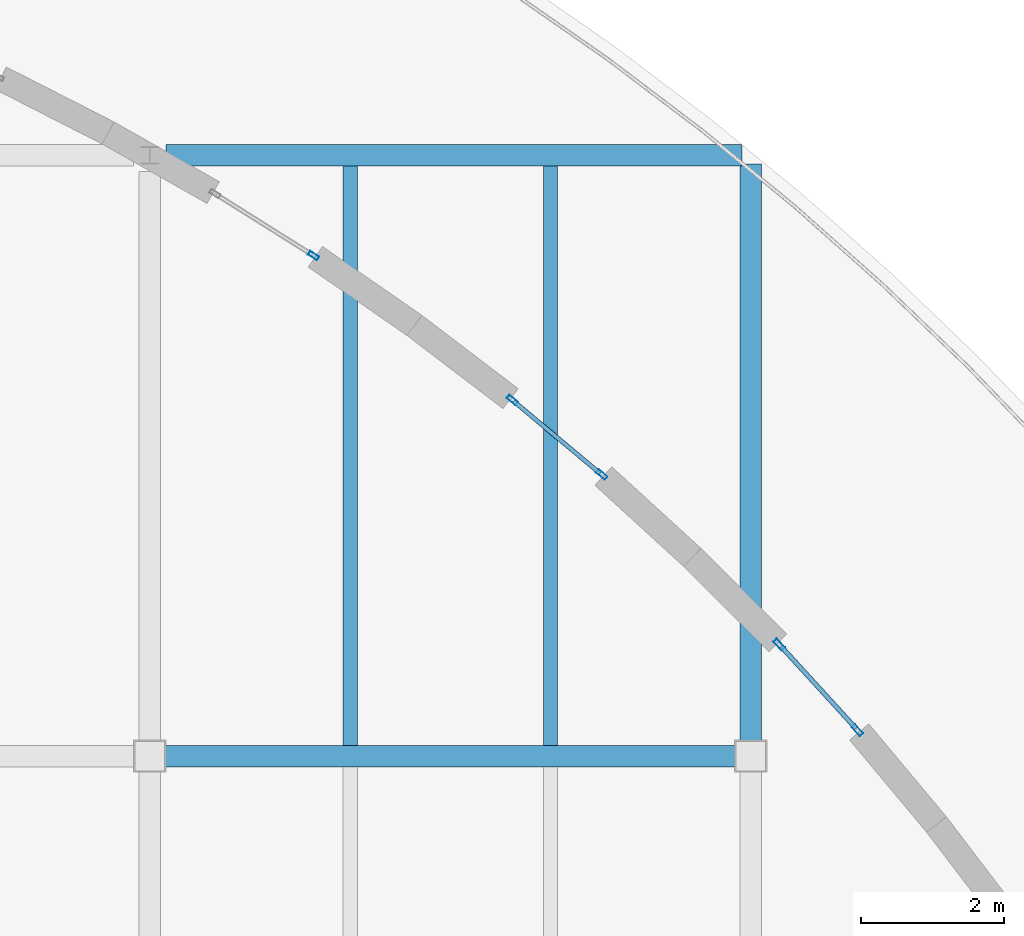
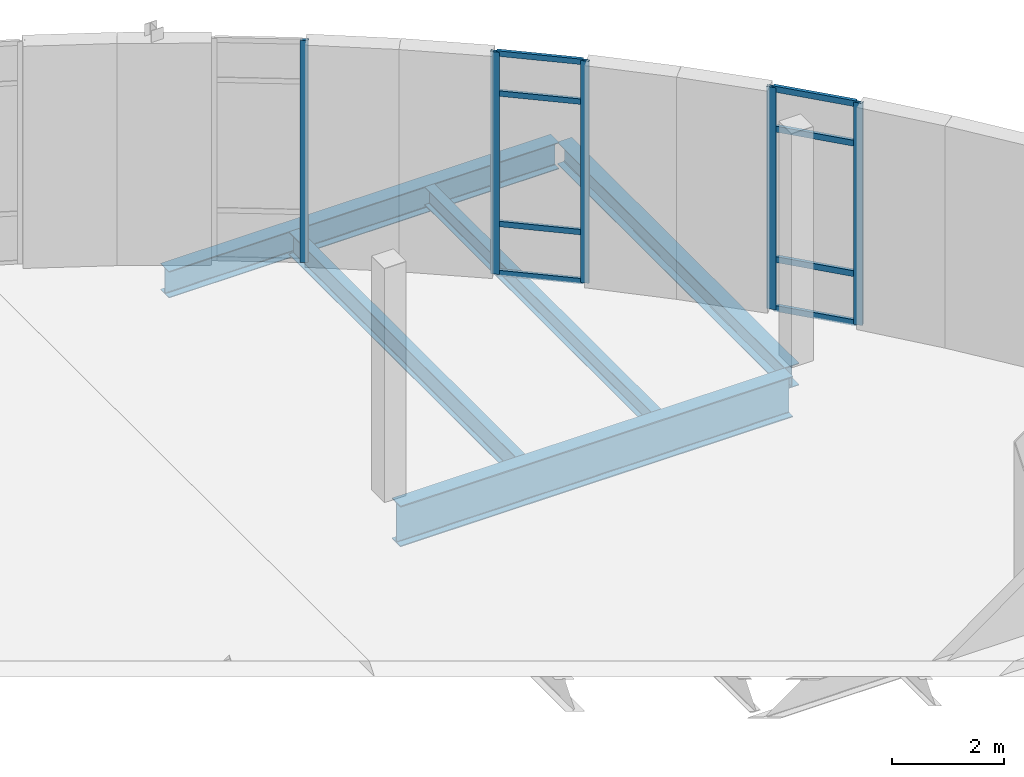
# One storey, part 29 of 57: 13 members, 5 beams, 3 elements without a shape of their own.
"""IFC4 building model written with IfcOpenShell, lengths in metres."""

import ifcopenshell
import ifcopenshell.guid

model = None  # the IFC model being written
_history = None  # IfcOwnerHistory: only IFC2X3 demands one
_inside = {}  # id of a spatial element -> (the spatial element, [elements in it])
_under = {}  # id of a project, library or spatial element -> (it, [spatial elements below it])
_declared = {}  # id of a project -> (the project, [libraries it declares])
_typed = {}  # id of a type object -> (the type object, [elements of that type])
_made_of = {}  # id of a material, layer set ... -> (it, [elements and type objects made of it])


def new_model(schema):
    """Start an empty IFC model of exactly this schema.

    Asked for "IFC4X3", IfcOpenShell would pick the latest addendum, in which some entities
    have other attributes; the version numbers below select the first issue.
    IFC2X3 requires an IfcOwnerHistory on every rooted entity: one is made here for all.
    """
    global model, _history
    if schema == "IFC4X3":
        model = ifcopenshell.file(schema_version=(4, 3, 0, 0))
    else:
        model = ifcopenshell.file(schema=schema)
    _inside.clear()
    _under.clear()
    _declared.clear()
    _typed.clear()
    _made_of.clear()
    _history = None
    if model.schema == "IFC2X3":
        org = make("IfcOrganization", Name="unknown")
        user = make(
            "IfcPersonAndOrganization",
            ThePerson=make("IfcPerson", FamilyName="unknown"),
            TheOrganization=org,
        )
        app = make(
            "IfcApplication",
            ApplicationDeveloper=org,
            Version="unknown",
            ApplicationFullName="unknown",
            ApplicationIdentifier="unknown",
        )
        _history = make(
            "IfcOwnerHistory",
            OwningUser=user,
            OwningApplication=app,
            ChangeAction="ADDED",
            CreationDate=0,
        )
    return model


def make(cls, **values):
    """One entity of the class cls with the attributes given. An attribute that is None is left unset."""
    return model.create_entity(
        cls, **{name: value for name, value in values.items() if value is not None}
    )


def rooted(cls, **values):
    """An entity with a GlobalId (a new one), such as an element, a storey or a relation."""
    return make(cls, GlobalId=ifcopenshell.guid.new(), OwnerHistory=_history, **values)


def si_unit(unit_type, name, prefix=None):
    """IfcSIUnit, for example si_unit("LENGTHUNIT", "METRE", prefix="MILLI")."""
    return make("IfcSIUnit", UnitType=unit_type, Prefix=prefix, Name=name)


def assignment(units):
    """IfcUnitAssignment: the units of a project."""
    return None if units is None else make("IfcUnitAssignment", Units=units)


def point(xyz):
    """IfcCartesianPoint."""
    return None if xyz is None else make("IfcCartesianPoint", Coordinates=xyz)


def direction(xyz):
    """IfcDirection."""
    return None if xyz is None else make("IfcDirection", DirectionRatios=xyz)


def frame(location, z_axis=None, x_axis=None):
    """IfcAxis2Placement3D, a coordinate frame: its origin and axes. An axis left out is left unset."""
    return make(
        "IfcAxis2Placement3D",
        Location=point(location),
        Axis=direction(z_axis),
        RefDirection=direction(x_axis),
    )


def frame_2d(location, x_axis=None):
    """IfcAxis2Placement2D, a coordinate frame in the plane: its origin and x axis."""
    return make(
        "IfcAxis2Placement2D", Location=point(location), RefDirection=direction(x_axis)
    )


def origin():
    """The frame at (0, 0, 0) with its axes left unset."""
    return frame((0.0, 0.0, 0.0))


def origin_2d():
    """The frame at (0, 0) in the plane with its x axis left unset."""
    return frame_2d((0.0, 0.0))


def place(relative_to, where):
    """IfcLocalPlacement: puts the frame where relative to a parent placement (None: the world)."""
    return make(
        "IfcLocalPlacement", PlacementRelTo=relative_to, RelativePlacement=where
    )


def context(
    kind, dimensions, precision=None, world=None, true_north=None, identifier=None
):
    """IfcGeometricRepresentationContext, for example the 3D "Model" context."""
    return make(
        "IfcGeometricRepresentationContext",
        ContextIdentifier=identifier,
        ContextType=kind,
        CoordinateSpaceDimension=dimensions,
        Precision=precision,
        WorldCoordinateSystem=world,
        TrueNorth=true_north,
    )


def subcontext(parent, identifier, kind, view, scale=None):
    """IfcGeometricRepresentationSubContext, for example "Body" below "Model"."""
    return make(
        "IfcGeometricRepresentationSubContext",
        ContextIdentifier=identifier,
        ContextType=kind,
        ParentContext=parent,
        TargetScale=scale,
        TargetView=view,
    )


def project(units=None, contexts=None):
    """IfcProject with its units and contexts."""
    return rooted(
        "IfcProject",
        Name="project",
        RepresentationContexts=contexts,
        UnitsInContext=assignment(units),
    )


def spatial(cls, under=None, at=None, **own):
    """A site, building, storey or space (cls), placed at a placement, below another one or the project."""
    s = rooted(cls, ObjectPlacement=at, **own)
    if under is not None:
        _under.setdefault(under.id(), (under, []))[1].append(s)
    return s


def profile(cls, at=None, kind="AREA", **sizes):
    """A parametric profile (cls). Its sizes go by their IFC names, for example OverallWidth=200.0."""
    return make(cls, ProfileType=kind, Position=at, **sizes)


def hollow_rectangle(**sizes):
    """IfcRectangleHollowProfileDef."""
    return profile("IfcRectangleHollowProfileDef", **sizes)


def i_section(**sizes):
    """IfcIShapeProfileDef."""
    return profile("IfcIShapeProfileDef", **sizes)


def extrude(swept, where, along, depth):
    """IfcExtrudedAreaSolid: the profile swept, set in the frame where, extruded along a direction by depth."""
    return make(
        "IfcExtrudedAreaSolid",
        SweptArea=swept,
        Position=where,
        ExtrudedDirection=direction(along),
        Depth=depth,
    )


def shape(context_of_items, identifier, shape_type, items):
    """IfcShapeRepresentation: the items that make up one representation, for example the "Body"."""
    return make(
        "IfcShapeRepresentation",
        ContextOfItems=context_of_items,
        RepresentationIdentifier=identifier,
        RepresentationType=shape_type,
        Items=items,
    )


def material(Name=None, Category=None):
    """IfcMaterial."""
    return make("IfcMaterial", Name=Name, Category=Category)


def layer(
    of_material, thickness, ventilated=None, Name=None, Category=None, Priority=None
):
    """IfcMaterialLayer: one layer of a wall or slab, of a material (None: an air gap)."""
    return make(
        "IfcMaterialLayer",
        Material=of_material,
        LayerThickness=thickness,
        IsVentilated=ventilated,
        Name=Name,
        Category=Category,
        Priority=Priority,
    )


def layer_set(layers, Name=None):
    """IfcMaterialLayerSet."""
    return make("IfcMaterialLayerSet", MaterialLayers=layers, LayerSetName=Name)


def material_profile(
    of_material, cross_section, Name=None, Category=None, Priority=None
):
    """IfcMaterialProfile: a cross section and its material."""
    return make(
        "IfcMaterialProfile",
        Name=Name,
        Material=of_material,
        Profile=cross_section,
        Priority=Priority,
        Category=Category,
    )


def profile_set(profiles, Name=None, composite=None):
    """IfcMaterialProfileSet."""
    return make(
        "IfcMaterialProfileSet",
        Name=Name,
        MaterialProfiles=profiles,
        CompositeProfile=composite,
    )


def made_of(thing, what):
    """Note that an element or type object is made of a material, layer set ...; save() writes the relation."""
    if what is not None:
        _made_of.setdefault(what.id(), (what, []))[1].append(thing)
    return thing


def type_object(cls, material=None, **own):
    """A type object (cls), such as IfcWallType, which elements share."""
    return made_of(rooted(cls, **own), material)


def element(
    cls,
    number,
    at=None,
    inside=None,
    cuts=None,
    type_object=None,
    material=None,
    context=None,
    identifier="Body",
    shape_type=None,
    held_by="IfcProductDefinitionShape",
    body=None,
    shapes=None,
    **own,
):
    """One element of the class cls, such as IfcWall. Its Tag is "e" and its number.

    at: its placement. inside: the storey or other place that contains it. cuts: it is an
    opening in that element (IfcRelVoidsElement). A single representation is given by context,
    identifier, shape_type and body (its items); several are given by shapes. held_by: the class
    of the entity that holds the representations. save() writes the other relations.
    """
    e = rooted(cls, Tag="e%d" % number, ObjectPlacement=at, **own)
    if body is not None:
        shapes = [shape(context, identifier, shape_type, body)]
    if shapes is not None:
        e.Representation = make(held_by, Representations=shapes)
    if inside is not None:
        _inside.setdefault(inside.id(), (inside, []))[1].append(e)
    if cuts is not None:
        rooted(
            "IfcRelVoidsElement", RelatingBuildingElement=cuts, RelatedOpeningElement=e
        )
    if type_object is not None:
        _typed.setdefault(type_object.id(), (type_object, []))[1].append(e)
    return made_of(e, material)


def aggregate(whole, parts):
    """IfcRelAggregates: a whole, such as a stair, and the parts it consists of."""
    return rooted("IfcRelAggregates", RelatingObject=whole, RelatedObjects=parts)


def save(model, path):
    """Write the relations noted so far, then the file.

    IfcRelAggregates (storeys below a building ...), IfcRelContainedInSpatialStructure (elements
    in a storey), IfcRelDefinesByType, IfcRelAssociatesMaterial and IfcRelDeclares: one each for
    every whole, place, type object, material and project.
    """
    for whole, parts in _under.values():
        aggregate(whole, parts)
    for where, things in _inside.values():
        rooted(
            "IfcRelContainedInSpatialStructure",
            RelatedElements=things,
            RelatingStructure=where,
        )
    for kind, things in _typed.values():
        rooted("IfcRelDefinesByType", RelatedObjects=things, RelatingType=kind)
    for what, things in _made_of.values():
        rooted("IfcRelAssociatesMaterial", RelatedObjects=things, RelatingMaterial=what)
    for by, libraries in _declared.values():
        rooted("IfcRelDeclares", RelatingContext=by, RelatedDefinitions=libraries)
    model.write(path)


model = new_model("IFC4")

# Units and contexts
model_context = context("Model", 3, precision=1e-05, world=origin(), true_north=direction((0.0, 1.0)))
body_context = subcontext(model_context, "Body", "Model", "MODEL_VIEW")
ifc_project = project(units=[si_unit("LENGTHUNIT", "METRE"), si_unit("AREAUNIT", "SQUARE_METRE"), si_unit("VOLUMEUNIT", "CUBIC_METRE"), si_unit("PLANEANGLEUNIT", "RADIAN"), si_unit("MASSUNIT", "GRAM", prefix="KILO"), si_unit("THERMODYNAMICTEMPERATUREUNIT", "KELVIN")], contexts=[model_context])

# Site, building, storey
site_placement = place(None, origin())
site = spatial("IfcSite", under=ifc_project, at=site_placement, CompositionType="ELEMENT")
building_placement = place(site_placement, origin())
building = spatial("IfcBuilding", under=site, at=building_placement, Name="Lustrewick Department Store", CompositionType="ELEMENT")
storey_placement = place(building_placement, frame((0.0, 0.0, 26.699951171875)))
storey = spatial("IfcBuildingStorey", under=building, at=storey_placement, Name="L06", CompositionType="ELEMENT", Elevation=26.699951171875)

# Beams
ifc_material_1 = material(Name="Structural steel Q355B", Category="steel")
ifc_material_profile_1 = material_profile(ifc_material_1, i_section(OverallWidth=0.199951171875, OverallDepth=0.5, WebThickness=0.010009765625, FlangeThickness=0.01611328125, FilletRadius=0.01611328125, at=origin_2d()), Name="HN 500x200x10x16")
ifc_profile_set_1 = profile_set([ifc_material_profile_1], Name="Structural steel Q355B")
beam_type_1 = type_object("IfcBeamType", Name="B01", PredefinedType="JOIST", material=ifc_profile_set_1)
beam_1_placement = place(storey_placement, frame((137.199951171875, 84.1494140625, -0.5048828125), z_axis=(0.0, 1.0, 0.0), x_axis=(-1.0, 0.0, 0.0)))
element("IfcBeam", 1, at=beam_1_placement, inside=storey, type_object=beam_type_1, Name="L06 V4 Secondary Joist B01", PredefinedType="JOIST", context=body_context, shape_type="SweptSolid", body=[
    extrude(i_section(OverallWidth=0.199951171875, OverallDepth=0.5, WebThickness=0.010009765625, FlangeThickness=0.01611328125, FilletRadius=0.01611328125, at=origin_2d()), origin(), (0.0, 0.0, 1.0), 8.1005859375),
])
ifc_material_profile_2 = material_profile(ifc_material_1, i_section(OverallWidth=0.199951171875, OverallDepth=0.39990234375, WebThickness=0.008056640625, FlangeThickness=0.012939453125, FilletRadius=0.013916015625, at=origin_2d()), Name="HN 400x200x8x13")
ifc_profile_set_2 = profile_set([ifc_material_profile_2], Name="Structural steel Q355B")
beam_type_2 = type_object("IfcBeamType", Name="B05", PredefinedType="JOIST", material=ifc_profile_set_2)
beam_2_placement = place(storey_placement, frame((140.0, 84.1494140625, -0.454833984375), z_axis=(0.0, 1.0, 0.0), x_axis=(-1.0, 0.0, 0.0)))
element("IfcBeam", 2, at=beam_2_placement, inside=storey, type_object=beam_type_2, Name="L06 V4 Secondary Joist B05", PredefinedType="JOIST", context=body_context, shape_type="SweptSolid", body=[
    extrude(i_section(OverallWidth=0.199951171875, OverallDepth=0.39990234375, WebThickness=0.008056640625, FlangeThickness=0.012939453125, FilletRadius=0.013916015625, at=origin_2d()), origin(), (0.0, 0.0, 1.0), 8.1005859375),
])

# Curtain wall, members
ifc_material_2 = material(Name="Thermally broken aluminium 6063-T5", Category="aluminium")
ifc_layer_1 = layer(ifc_material_2, 0.169921875, Name="Thermally broken aluminium 6063-T5")
ifc_layer_set_1 = layer_set([ifc_layer_1], Name="Thermally broken aluminium 6063-T5")
curtain_wall_type_1 = type_object("IfcCurtainWallType", Name="CW03", PredefinedType="NOTDEFINED", material=ifc_layer_set_1)
curtain_wall_1_placement = place(storey_placement, origin())
curtain_wall_1 = element("IfcCurtainWall", 3, at=curtain_wall_1_placement, inside=storey, type_object=curtain_wall_type_1, Name="L06 V4 Curtain Wall CW03", PredefinedType="NOTDEFINED")
ifc_material_profile_3 = material_profile(ifc_material_2, hollow_rectangle(XDim=0.06494140625, YDim=0.169921875, WallThickness=0.00390625, at=origin_2d()), Name="ALU-M 65x170x4")
ifc_profile_set_3 = profile_set([ifc_material_profile_3], Name="Thermally broken aluminium 6063-T5")
member_type_1 = type_object("IfcMemberType", Name="CW03-M1", PredefinedType="MULLION", material=ifc_profile_set_3)
member_1_placement = place(storey_placement, frame((144.29345703125, 84.362548828125, 0.0), z_axis=(0.0, 0.0, 1.0), x_axis=(-0.738129992145, -0.6746585171, 0.0)))
member_1 = element("IfcMember", 4, at=member_1_placement, type_object=member_type_1, Name="CW03 mullion 1", PredefinedType="MULLION", context=body_context, shape_type="SweptSolid", body=[
    extrude(hollow_rectangle(XDim=0.06494140625, YDim=0.169921875, WallThickness=0.00390625, at=origin_2d()), origin(), (0.0, 0.0, 1.0), 4.844970703125),
])
member_2_placement = place(storey_placement, frame((143.198974609375, 85.56005859375, 0.0), z_axis=(0.0, 0.0, 1.0), x_axis=(-0.738129992145, -0.6746585171, 0.0)))
member_2 = element("IfcMember", 5, at=member_2_placement, type_object=member_type_1, Name="CW03 mullion 2", PredefinedType="MULLION", context=body_context, shape_type="SweptSolid", body=[
    extrude(hollow_rectangle(XDim=0.06494140625, YDim=0.169921875, WallThickness=0.00390625, at=origin_2d()), origin(), (0.0, 0.0, 1.0), 4.844970703125),
])
ifc_material_profile_4 = material_profile(ifc_material_2, hollow_rectangle(XDim=0.06494140625, YDim=0.1298828125, WallThickness=0.00341796875, at=origin_2d()), Name="ALU-T 65x130x3.5")
ifc_profile_set_4 = profile_set([ifc_material_profile_4], Name="Thermally broken aluminium 6063-T5")
member_type_2 = type_object("IfcMemberType", Name="CW03-T1", PredefinedType="USERDEFINED", material=ifc_profile_set_4)
member_3_placement = place(storey_placement, frame((144.271728515625, 84.386474609375, 0.032470703125), z_axis=(-0.674652098994, 0.73813585831, 0.0), x_axis=(-0.73813585831, -0.674652098994, 0.0)))
member_3 = element("IfcMember", 6, at=member_3_placement, type_object=member_type_2, Name="CW03 transom 1.1", ObjectType="TRANSOM", PredefinedType="USERDEFINED", context=body_context, shape_type="SweptSolid", body=[
    extrude(hollow_rectangle(XDim=0.06494140625, YDim=0.1298828125, WallThickness=0.00341796875, at=origin_2d()), origin(), (0.0, 0.0, 1.0), 1.5576171875),
])
member_4_placement = place(storey_placement, frame((144.271728515625, 84.386474609375, 1.10009765625), z_axis=(-0.674652098994, 0.73813585831, 0.0), x_axis=(-0.73813585831, -0.674652098994, 0.0)))
member_4 = element("IfcMember", 7, at=member_4_placement, type_object=member_type_2, Name="CW03 transom 1.2", ObjectType="TRANSOM", PredefinedType="USERDEFINED", context=body_context, shape_type="SweptSolid", body=[
    extrude(hollow_rectangle(XDim=0.06494140625, YDim=0.1298828125, WallThickness=0.00341796875, at=origin_2d()), origin(), (0.0, 0.0, 1.0), 1.5576171875),
])
member_5_placement = place(storey_placement, frame((144.271728515625, 84.386474609375, 3.945068359375), z_axis=(-0.674652098994, 0.73813585831, 0.0), x_axis=(-0.73813585831, -0.674652098994, 0.0)))
member_5 = element("IfcMember", 8, at=member_5_placement, type_object=member_type_2, Name="CW03 transom 1.3", ObjectType="TRANSOM", PredefinedType="USERDEFINED", context=body_context, shape_type="SweptSolid", body=[
    extrude(hollow_rectangle(XDim=0.06494140625, YDim=0.1298828125, WallThickness=0.00341796875, at=origin_2d()), origin(), (0.0, 0.0, 1.0), 1.5576171875),
])
member_6_placement = place(storey_placement, frame((144.271728515625, 84.386474609375, 4.8125), z_axis=(-0.674652098994, 0.73813585831, 0.0), x_axis=(-0.73813585831, -0.674652098994, 0.0)))
member_6 = element("IfcMember", 9, at=member_6_placement, type_object=member_type_2, Name="CW03 transom 1.4", ObjectType="TRANSOM", PredefinedType="USERDEFINED", context=body_context, shape_type="SweptSolid", body=[
    extrude(hollow_rectangle(XDim=0.06494140625, YDim=0.1298828125, WallThickness=0.00341796875, at=origin_2d()), origin(), (0.0, 0.0, 1.0), 1.5576171875),
])
aggregate(curtain_wall_1, [member_1, member_2, member_3, member_4, member_5, member_6])

ifc_layer_2 = layer(ifc_material_2, 0.159912109375, Name="Thermally broken aluminium 6063-T5")
ifc_layer_set_2 = layer_set([ifc_layer_2], Name="Thermally broken aluminium 6063-T5")
curtain_wall_type_2 = type_object("IfcCurtainWallType", Name="CW04", PredefinedType="NOTDEFINED", material=ifc_layer_set_2)
curtain_wall_2_placement = place(storey_placement, origin())
curtain_wall_2 = element("IfcCurtainWall", 10, at=curtain_wall_2_placement, inside=storey, type_object=curtain_wall_type_2, Name="L06 V4 Curtain Wall CW04", PredefinedType="NOTDEFINED")
ifc_material_profile_5 = material_profile(ifc_material_2, hollow_rectangle(XDim=0.06005859375, YDim=0.159912109375, WallThickness=0.00390625, at=origin_2d()), Name="ALU-M 60x160x4")
ifc_profile_set_5 = profile_set([ifc_material_profile_5], Name="Thermally broken aluminium 6063-T5")
member_type_3 = type_object("IfcMemberType", Name="CW04-M1", PredefinedType="MULLION", material=ifc_profile_set_5)
member_7_placement = place(storey_placement, frame((140.715576171875, 87.934814453125, 0.0), z_axis=(0.0, 0.0, 1.0), x_axis=(-0.640877815608, -0.767642902306, 0.0)))
member_7 = element("IfcMember", 11, at=member_7_placement, type_object=member_type_3, Name="CW04 mullion 1", PredefinedType="MULLION", context=body_context, shape_type="SweptSolid", body=[
    extrude(hollow_rectangle(XDim=0.06005859375, YDim=0.159912109375, WallThickness=0.00390625, at=origin_2d()), origin(), (0.0, 0.0, 1.0), 4.844970703125),
])
member_8_placement = place(storey_placement, frame((139.46630859375, 88.977783203125, 0.0), z_axis=(0.0, 0.0, 1.0), x_axis=(-0.640877815608, -0.767642902306, 0.0)))
member_8 = element("IfcMember", 12, at=member_8_placement, type_object=member_type_3, Name="CW04 mullion 2", PredefinedType="MULLION", context=body_context, shape_type="SweptSolid", body=[
    extrude(hollow_rectangle(XDim=0.06005859375, YDim=0.159912109375, WallThickness=0.00390625, at=origin_2d()), origin(), (0.0, 0.0, 1.0), 4.844970703125),
])
ifc_material_profile_6 = material_profile(ifc_material_2, hollow_rectangle(XDim=0.06005859375, YDim=0.1201171875, WallThickness=0.00341796875, at=origin_2d()), Name="ALU-T 60x120x3.5")
ifc_profile_set_6 = profile_set([ifc_material_profile_6], Name="Thermally broken aluminium 6063-T5")
member_type_4 = type_object("IfcMemberType", Name="CW04-T1", PredefinedType="USERDEFINED", material=ifc_profile_set_6)
member_9_placement = place(storey_placement, frame((140.6923828125, 87.953857421875, 0.030029296875), z_axis=(-0.767582539298, 0.640950111447, 0.0), x_axis=(-0.640950111447, -0.767582539298, 0.0)))
member_9 = element("IfcMember", 13, at=member_9_placement, type_object=member_type_4, Name="CW04 transom 1.1", ObjectType="TRANSOM", PredefinedType="USERDEFINED", context=body_context, shape_type="SweptSolid", body=[
    extrude(hollow_rectangle(XDim=0.06005859375, YDim=0.1201171875, WallThickness=0.00341796875, at=origin_2d()), origin(), (0.0, 0.0, 1.0), 1.5673828125),
])
member_10_placement = place(storey_placement, frame((140.6923828125, 87.953857421875, 1.10009765625), z_axis=(-0.767582539298, 0.640950111447, 0.0), x_axis=(-0.640950111447, -0.767582539298, 0.0)))
member_10 = element("IfcMember", 14, at=member_10_placement, type_object=member_type_4, Name="CW04 transom 1.2", ObjectType="TRANSOM", PredefinedType="USERDEFINED", context=body_context, shape_type="SweptSolid", body=[
    extrude(hollow_rectangle(XDim=0.06005859375, YDim=0.1201171875, WallThickness=0.00341796875, at=origin_2d()), origin(), (0.0, 0.0, 1.0), 1.5673828125),
])
member_11_placement = place(storey_placement, frame((140.6923828125, 87.953857421875, 3.945068359375), z_axis=(-0.767582539298, 0.640950111447, 0.0), x_axis=(-0.640950111447, -0.767582539298, 0.0)))
member_11 = element("IfcMember", 15, at=member_11_placement, type_object=member_type_4, Name="CW04 transom 1.3", ObjectType="TRANSOM", PredefinedType="USERDEFINED", context=body_context, shape_type="SweptSolid", body=[
    extrude(hollow_rectangle(XDim=0.06005859375, YDim=0.1201171875, WallThickness=0.00341796875, at=origin_2d()), origin(), (0.0, 0.0, 1.0), 1.5673828125),
])
member_12_placement = place(storey_placement, frame((140.6923828125, 87.953857421875, 4.81494140625), z_axis=(-0.767582539298, 0.640950111447, 0.0), x_axis=(-0.640950111447, -0.767582539298, 0.0)))
member_12 = element("IfcMember", 16, at=member_12_placement, type_object=member_type_4, Name="CW04 transom 1.4", ObjectType="TRANSOM", PredefinedType="USERDEFINED", context=body_context, shape_type="SweptSolid", body=[
    extrude(hollow_rectangle(XDim=0.06005859375, YDim=0.1201171875, WallThickness=0.00341796875, at=origin_2d()), origin(), (0.0, 0.0, 1.0), 1.5673828125),
])
aggregate(curtain_wall_2, [member_7, member_8, member_9, member_10, member_11, member_12])

# Curtain wall, member
ifc_layer_3 = layer(ifc_material_2, 0.14990234375, Name="Thermally broken aluminium 6063-T5")
ifc_layer_set_3 = layer_set([ifc_layer_3], Name="Thermally broken aluminium 6063-T5")
curtain_wall_type_3 = type_object("IfcCurtainWallType", Name="CW05", PredefinedType="NOTDEFINED", material=ifc_layer_set_3)
curtain_wall_3_placement = place(storey_placement, origin())
curtain_wall_3 = element("IfcCurtainWall", 17, at=curtain_wall_3_placement, inside=storey, type_object=curtain_wall_type_3, Name="L06 V4 Curtain Wall CW05", PredefinedType="NOTDEFINED")
ifc_material_profile_7 = material_profile(ifc_material_2, hollow_rectangle(XDim=0.06005859375, YDim=0.14990234375, WallThickness=0.00341796875, at=origin_2d()), Name="ALU-M 60x150x3.5")
ifc_profile_set_7 = profile_set([ifc_material_profile_7], Name="Thermally broken aluminium 6063-T5")
member_type_5 = type_object("IfcMemberType", Name="CW05-M1", PredefinedType="MULLION", material=ifc_profile_set_7)
member_13_placement = place(storey_placement, frame((136.688232421875, 90.995849609375, 0.0), z_axis=(0.0, 0.0, 1.0), x_axis=(-0.532027101467, -0.846727325238, 0.0)))
member_13 = element("IfcMember", 18, at=member_13_placement, type_object=member_type_5, Name="CW05 mullion 1", PredefinedType="MULLION", context=body_context, shape_type="SweptSolid", body=[
    extrude(hollow_rectangle(XDim=0.06005859375, YDim=0.14990234375, WallThickness=0.00341796875, at=origin_2d()), origin(), (0.0, 0.0, 1.0), 4.844970703125),
])
aggregate(curtain_wall_3, [member_13])

# Beams
ifc_material_3 = material(Name="Structural steel Q355C", Category="steel")
ifc_material_profile_8 = material_profile(ifc_material_3, i_section(OverallWidth=0.299072265625, OverallDepth=0.889892578125, WebThickness=0.014892578125, FlangeThickness=0.02294921875, FilletRadius=0.02392578125, at=origin_2d()), Name="HN 890x299x15x23")
ifc_profile_set_8 = profile_set([ifc_material_profile_8], Name="Structural steel Q355C")
beam_type_3 = type_object("IfcBeamType", Name="G03", PredefinedType="BEAM", material=ifc_profile_set_8)
beam_3_placement = place(storey_placement, frame((134.550048828125, 84.0, -0.699951171875), z_axis=(1.0, 0.0, 0.0), x_axis=(0.0, 1.0, 0.0)))
element("IfcBeam", 19, at=beam_3_placement, inside=storey, type_object=beam_type_3, Name="L06 V4 Girder G03", PredefinedType="BEAM", context=body_context, shape_type="SweptSolid", body=[
    extrude(i_section(OverallWidth=0.299072265625, OverallDepth=0.889892578125, WebThickness=0.014892578125, FlangeThickness=0.02294921875, FilletRadius=0.02392578125, at=origin_2d()), origin(), (0.0, 0.0, 1.0), 8.099853515625),
])
ifc_material_profile_9 = material_profile(ifc_material_1, i_section(OverallWidth=0.300048828125, OverallDepth=0.58203125, WebThickness=0.011962890625, FlangeThickness=0.01708984375, FilletRadius=0.02392578125, at=origin_2d()), Name="HM 582x300x12x17")
ifc_profile_set_9 = profile_set([ifc_material_profile_9], Name="Structural steel Q355B")
beam_type_4 = type_object("IfcBeamType", Name="G12", PredefinedType="BEAM", material=ifc_profile_set_9)
beam_4_placement = place(storey_placement, frame((134.625, 92.39990234375, -0.5458984375), z_axis=(1.0, 0.0, 0.0), x_axis=(0.0, 1.0, 0.0)))
element("IfcBeam", 20, at=beam_4_placement, inside=storey, type_object=beam_type_4, Name="L06 V4 Girder G12", PredefinedType="BEAM", context=body_context, shape_type="SweptSolid", body=[
    extrude(i_section(OverallWidth=0.300048828125, OverallDepth=0.58203125, WebThickness=0.011962890625, FlangeThickness=0.01708984375, FilletRadius=0.02392578125, at=origin_2d()), origin(), (0.0, 0.0, 1.0), 8.050048828125),
])
ifc_material_profile_10 = material_profile(ifc_material_1, i_section(OverallWidth=0.300048828125, OverallDepth=0.48193359375, WebThickness=0.010986328125, FlangeThickness=0.014892578125, FilletRadius=0.02197265625, at=origin_2d()), Name="HM 482x300x11x15")
ifc_profile_set_10 = profile_set([ifc_material_profile_10], Name="Structural steel Q355B")
beam_type_5 = type_object("IfcBeamType", Name="G20", PredefinedType="BEAM", material=ifc_profile_set_10)
beam_5_placement = place(storey_placement, frame((142.800048828125, 84.14990234375, -0.495849609375), z_axis=(0.0, 1.0, 0.0), x_axis=(-1.0, 0.0, 0.0)))
element("IfcBeam", 21, at=beam_5_placement, inside=storey, type_object=beam_type_5, Name="L06 V4 Girder G20", PredefinedType="BEAM", context=body_context, shape_type="SweptSolid", body=[
    extrude(i_section(OverallWidth=0.300048828125, OverallDepth=0.48193359375, WebThickness=0.010986328125, FlangeThickness=0.014892578125, FilletRadius=0.02197265625, at=origin_2d()), origin(), (0.0, 0.0, 1.0), 8.125),
])

save(model, "model.ifc")
